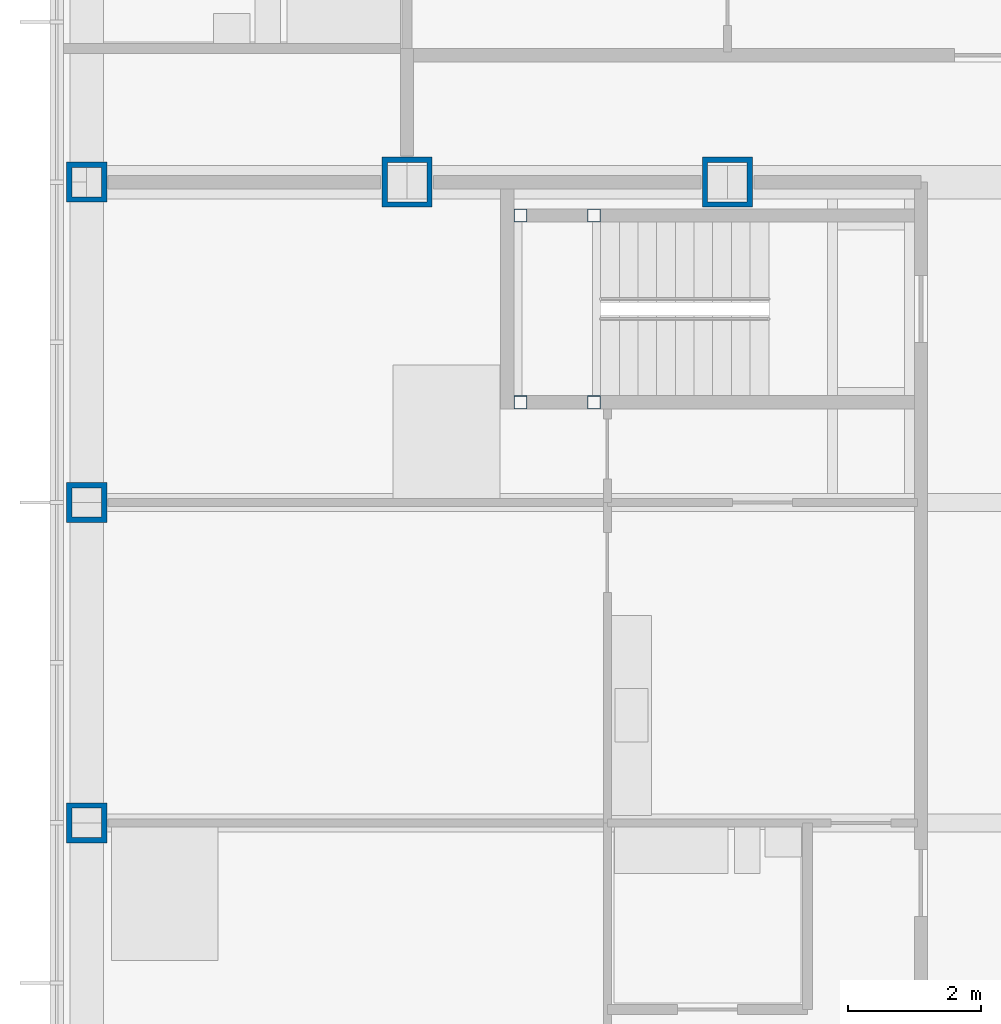
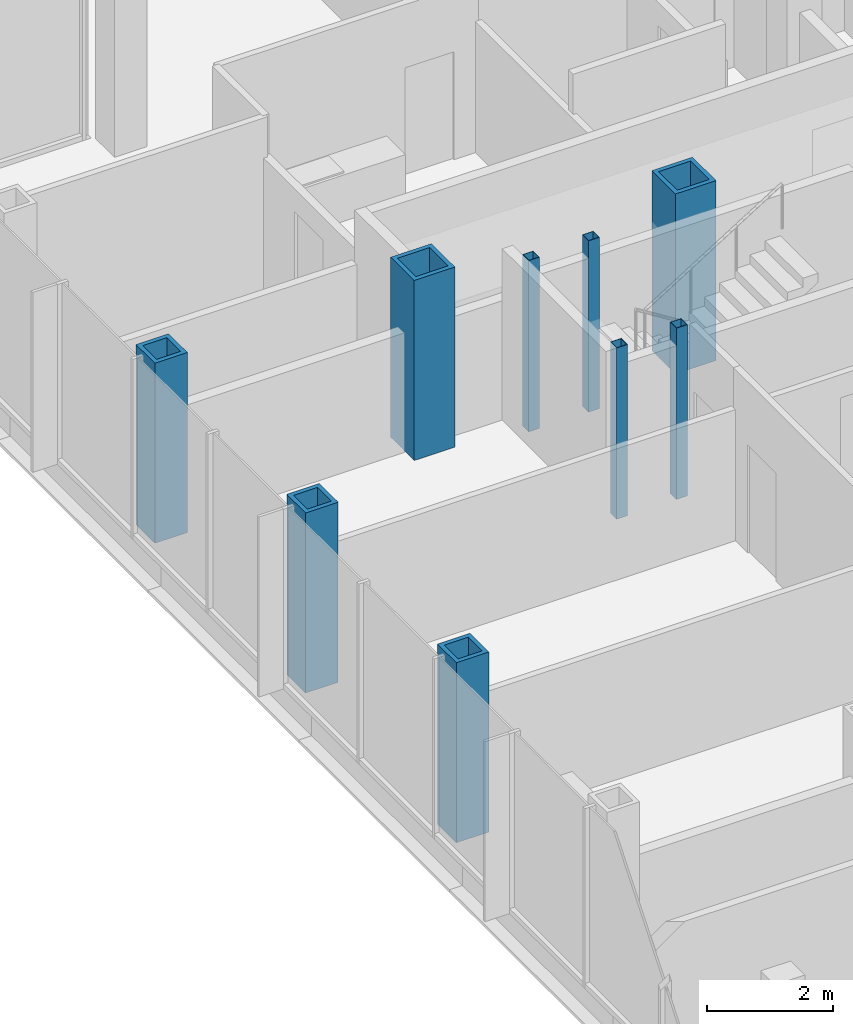
# One storey, part 3 of 21: 9 columns.
"""IFC4 building model written with IfcOpenShell, lengths in metres."""

from ifc_helpers import new_model, si_unit, direction, frame, origin, origin_2d, place, context, subcontext, project, spatial, hollow_rectangle, extrude, material, material_profile, profile_set, type_object, element, save


model = new_model("IFC4")

# Units and contexts
model_context = context("Model", 3, precision=1e-05, world=origin(), true_north=direction((0.0, 1.0)))
body_context = subcontext(model_context, "Body", "Model", "MODEL_VIEW")
ifc_project = project(units=[si_unit("LENGTHUNIT", "METRE"), si_unit("AREAUNIT", "SQUARE_METRE"), si_unit("VOLUMEUNIT", "CUBIC_METRE"), si_unit("PLANEANGLEUNIT", "RADIAN"), si_unit("MASSUNIT", "GRAM", prefix="KILO")], contexts=[model_context])

# Site, building, storey
site_placement = place(None, origin())
site = spatial("IfcSite", under=ifc_project, at=site_placement, CompositionType="ELEMENT")
building_placement = place(site_placement, origin())
building = spatial("IfcBuilding", under=site, at=building_placement, Name="Kvirike Care Tower", CompositionType="ELEMENT")
storey_placement = place(building_placement, frame((0.0, 0.0, 65.5)))
storey = spatial("IfcBuildingStorey", under=building, at=storey_placement, Name="L17", CompositionType="ELEMENT", Elevation=65.5)

# Columns
ifc_material_1 = material(Name="Steel S460", Category="steel")
ifc_material_profile_1 = material_profile(ifc_material_1, hollow_rectangle(XDim=0.60009765625, YDim=0.60009765625, WallThickness=0.080078125, at=origin_2d()), Name="BX 600x600x80")
ifc_profile_set_1 = profile_set([ifc_material_profile_1], Name="Steel S460")
column_type_1 = type_object("IfcColumnType", Name="COLUMN BX 600x600x80", PredefinedType="COLUMN", material=ifc_profile_set_1)
for number, where, z_axis, x_axis, name in (
    (1, (0.0, 33.60009765625, 0.0), (0.0, 0.0, 1.0), (1.0, 0.0, 0.0), "Column H3 L17"),
    (2, (0.0, 38.39990234375, 0.0), (0.0, 0.0, 1.0), (1.0, 0.0, 0.0), "Column J3 L17"),
    (3, (0.0, 43.199951171875, 0.0), (0.0, 0.0, 1.0), (0.0, 1.0, 0.0), "Column K3 L17"),
):
    element("IfcColumn", number, at=place(storey_placement, frame(where, z_axis=z_axis, x_axis=x_axis)), inside=storey, type_object=column_type_1, Name=name, PredefinedType="COLUMN", context=body_context, shape_type="SweptSolid", body=[
        extrude(hollow_rectangle(XDim=0.60009765625, YDim=0.60009765625, WallThickness=0.080078125, at=origin_2d()), origin(), (0.0, 0.0, 1.0), 3.5),
    ])
ifc_material_2 = material(Name="Steel S460", Category="steel")
ifc_material_profile_2 = material_profile(ifc_material_2, hollow_rectangle(XDim=0.75, YDim=0.75, WallThickness=0.080078125, at=origin_2d()), Name="BX 750x750x80")
ifc_profile_set_2 = profile_set([ifc_material_profile_2], Name="Steel S460")
column_type_2 = type_object("IfcColumnType", Name="COLUMN BX 750x750x80", PredefinedType="COLUMN", material=ifc_profile_set_2)
for number, where, z_axis, x_axis, name in (
    (4, (4.800048828125, 43.199951171875, 0.0), (0.0, 0.0, 1.0), (0.0, 1.0, 0.0), "Column K4 L17"),
    (5, (9.60009765625, 43.199951171875, 0.0), (0.0, 0.0, 1.0), (0.0, 1.0, 0.0), "Column K5 L17"),
):
    element("IfcColumn", number, at=place(storey_placement, frame(where, z_axis=z_axis, x_axis=x_axis)), inside=storey, type_object=column_type_2, Name=name, PredefinedType="COLUMN", context=body_context, shape_type="SweptSolid", body=[
        extrude(hollow_rectangle(XDim=0.75, YDim=0.75, WallThickness=0.080078125, at=origin_2d()), origin(), (0.0, 0.0, 1.0), 3.5),
    ])
ifc_material_3 = material(Name="Steel S460", Category="steel")
ifc_material_profile_3 = material_profile(ifc_material_3, hollow_rectangle(XDim=0.199951171875, YDim=0.199951171875, WallThickness=0.008056640625, at=origin_2d()), Name="SHS 200x200x8")
ifc_profile_set_3 = profile_set([ifc_material_profile_3], Name="Steel S460")
column_type_3 = type_object("IfcColumnType", Name="STAIR POST SHS 200x200x8", PredefinedType="COLUMN", material=ifc_profile_set_3)
for number, where, z_axis, x_axis, name in (
    (6, (6.5, 42.699951171875, 0.0), (0.0, 0.0, 1.0), (1.0, 0.0, 0.0), "Stair 1 post 1 L17"),
    (7, (6.5, 39.89990234375, 0.0), (0.0, 0.0, 1.0), (1.0, 0.0, 0.0), "Stair 1 post 2 L17"),
    (8, (7.60009765625, 42.699951171875, 0.0), (0.0, 0.0, 1.0), (1.0, 0.0, 0.0), "Stair 1 post 3 L17"),
    (9, (7.60009765625, 39.89990234375, 0.0), (0.0, 0.0, 1.0), (1.0, 0.0, 0.0), "Stair 1 post 4 L17"),
):
    element("IfcColumn", number, at=place(storey_placement, frame(where, z_axis=z_axis, x_axis=x_axis)), inside=storey, type_object=column_type_3, Name=name, PredefinedType="COLUMN", context=body_context, shape_type="SweptSolid", body=[
        extrude(hollow_rectangle(XDim=0.199951171875, YDim=0.199951171875, WallThickness=0.008056640625, at=origin_2d()), origin(), (0.0, 0.0, 1.0), 3.330078125),
    ])

save(model, "model.ifc")
